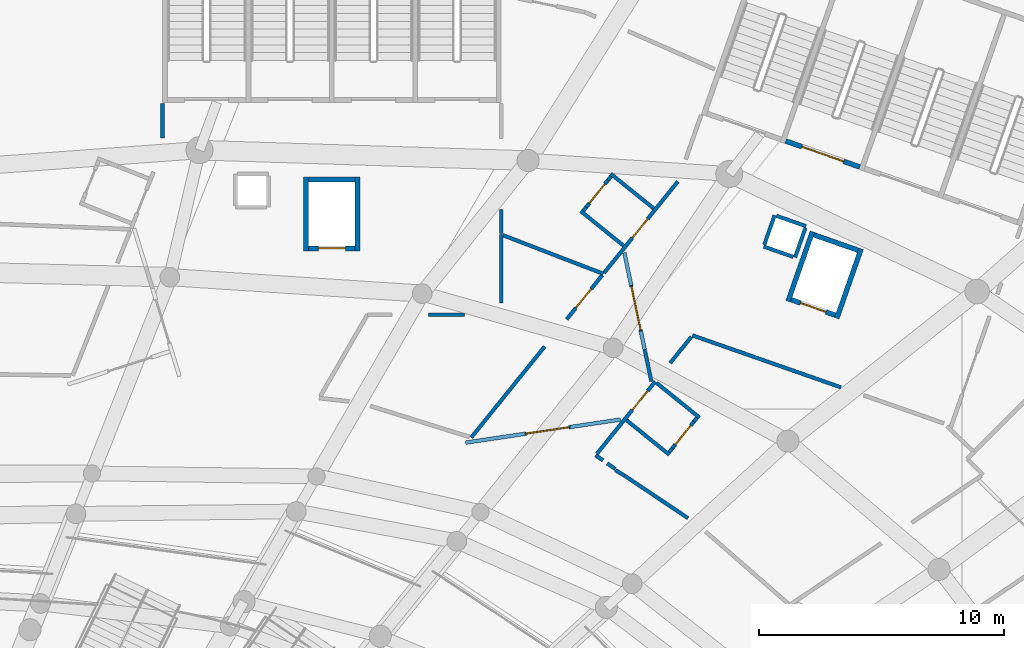
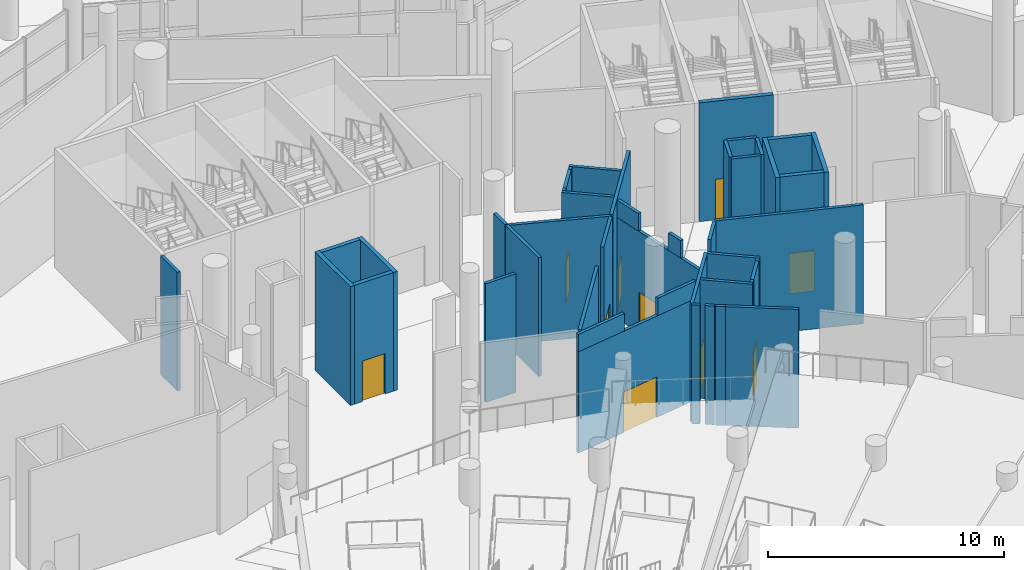
# One storey, part 152 of 255: 44 walls, 10 doors, 10 openings.
"""IFC4 building model written with IfcOpenShell, lengths in metres."""

from ifc_helpers import new_model, si_unit, direction, frame, frame_2d, origin, place, context, subcontext, project, spatial, rectangle, extrude, material, layer, layer_set, type_object, element, fill, save


model = new_model("IFC4")

# Units and contexts
model_context = context("Model", 3, precision=1e-05, world=origin(), true_north=direction((0.0, 1.0)))
body_context = subcontext(model_context, "Body", "Model", "MODEL_VIEW")
ifc_project = project(units=[si_unit("LENGTHUNIT", "METRE"), si_unit("AREAUNIT", "SQUARE_METRE"), si_unit("VOLUMEUNIT", "CUBIC_METRE"), si_unit("PLANEANGLEUNIT", "RADIAN"), si_unit("MASSUNIT", "GRAM", prefix="KILO")], contexts=[model_context])

# Site, building, storey
site_placement = place(None, origin())
site = spatial("IfcSite", under=ifc_project, at=site_placement, CompositionType="ELEMENT")
building_placement = place(site_placement, origin())
building = spatial("IfcBuilding", under=site, at=building_placement, Name="Meseta Stadium", CompositionType="ELEMENT")
storey_placement = place(building_placement, origin())
storey = spatial("IfcBuildingStorey", under=building, at=storey_placement, Name="L00", CompositionType="ELEMENT", Elevation=0.0)

# Wall, opening, door
ifc_material_1 = material(Name="Concrete C40/50", Category="concrete")
ifc_layer_1 = layer(ifc_material_1, 0.199951171875)
ifc_layer_set_1 = layer_set([ifc_layer_1], Name="Core shaft wall 200")
wall_type_1 = type_object("IfcWallType", Name="Core shaft wall 200", PredefinedType="SHEAR", material=ifc_layer_set_1)
wall_1_placement = place(storey_placement, frame((59.843505859375, 89.864990234375, 0.0), z_axis=(0.0, 0.0, 1.0), x_axis=(-0.943886898693, 0.330268863922, 0.0)))
wall_1 = element("IfcWall", 1, at=wall_1_placement, inside=storey, type_object=wall_type_1, Name="Core 08 L00 stair B1 inner end wall", PredefinedType="SHEAR", context=body_context, shape_type="SweptSolid", body=[
    extrude(rectangle(XDim=3.2001953125, YDim=0.199951171875, at=frame_2d((1.60009765625, 0.0))), origin(), (0.0, 0.0, 1.0), 6.14990234375),
])
opening_1_placement = place(wall_1_placement, frame((0.699951171875, 0.0, 0.0)))
opening_1 = element("IfcOpeningElement", 2, at=opening_1_placement, cuts=wall_1, Name="Opening D121", PredefinedType="OPENING", context=body_context, shape_type="SweptSolid", body=[
    extrude(rectangle(XDim=1.800048828125, YDim=2.10009765625, at=frame_2d((0.89990234375, 1.050048828125))), frame((0.0, 0.10986328125, 0.0), z_axis=(0.0, -1.0, 0.0), x_axis=(1.0, 0.0, 0.0)), (0.0, 0.0, 1.0), 0.219970703125),
])
ifc_material_2 = material(Name="Steel", Category="steel")
door_type_1 = type_object("IfcDoorType", Name="Stair door 1800x2100", OperationType="DOUBLE_DOOR_SINGLE_SWING", PredefinedType="DOOR", material=ifc_material_2)
door_1_placement = place(opening_1_placement, origin())
door_1 = element("IfcDoor", 3, at=door_1_placement, inside=storey, type_object=door_type_1, Name="Stair B1 door 08 L00", OperationType="DOUBLE_DOOR_SINGLE_SWING", OverallHeight=2.10009765625, OverallWidth=1.800048828125, PredefinedType="DOOR", context=body_context, shape_type="SweptSolid", body=[
    extrude(rectangle(XDim=1.800048828125, YDim=2.10009765625, at=frame_2d((0.89990234375, 1.050048828125))), frame((0.0, 0.02490234375, 0.0), z_axis=(0.0, -1.0, 0.0), x_axis=(1.0, 0.0, 0.0)), (0.0, 0.0, 1.0), 0.050048828125),
])
fill(opening_1, door_1)

# Walls
for number, where, z_axis, x_axis, name in (
    (4, (59.896240234375, 86.53369140625, 0.0), (0.0, 0.0, 1.0), (-0.330328674497, -0.943865968666, 0.0), "Core 08 L00 lift shaft wall left"),
    (5, (57.9140625, 87.227294921875, 0.0), (0.0, 0.0, 1.0), (-0.330328674497, -0.943865968666, 0.0), "Core 08 L00 lift shaft wall right"),
):
    element("IfcWall", number, at=place(storey_placement, frame(where, z_axis=z_axis, x_axis=x_axis)), inside=storey, type_object=wall_type_1, Name=name, PredefinedType="SHEAR", context=body_context, shape_type="SweptSolid", body=[
        extrude(rectangle(XDim=3.0, YDim=0.199951171875, at=frame_2d((1.5, 0.0))), origin(), (0.0, 0.0, 1.0), 6.14990234375),
    ])
wall_2_placement = place(storey_placement, frame((59.768798828125, 86.472412109375, 0.0), z_axis=(0.0, 0.0, 1.0), x_axis=(-0.943862362559, 0.330338978239, 0.0)))
element("IfcWall", 6, at=wall_2_placement, inside=storey, type_object=wall_type_1, Name="Core 08 L00 lift shaft back wall", PredefinedType="SHEAR", context=body_context, shape_type="SweptSolid", body=[
    extrude(rectangle(XDim=1.900146484375, YDim=0.199951171875, at=frame_2d((0.9501953125, 0.0))), origin(), (0.0, 0.0, 1.0), 6.14990234375),
])

# Wall, opening, door
wall_3_placement = place(storey_placement, frame((58.843994140625, 83.82958984375, 0.0), z_axis=(0.0, 0.0, 1.0), x_axis=(-0.943902418729, 0.330224505327, 0.0)))
wall_3 = element("IfcWall", 7, at=wall_3_placement, inside=storey, type_object=wall_type_1, Name="Core 08 L00 lift shaft front wall", PredefinedType="SHEAR", context=body_context, shape_type="SweptSolid", body=[
    extrude(rectangle(XDim=1.900146484375, YDim=0.199951171875, at=frame_2d((0.9501953125, 0.0))), origin(), (0.0, 0.0, 1.0), 6.14990234375),
])
opening_2_placement = place(wall_3_placement, frame((0.39990234375, 0.0, 0.0)))
opening_2 = element("IfcOpeningElement", 8, at=opening_2_placement, cuts=wall_3, Name="Opening LD43", PredefinedType="OPENING", context=body_context, shape_type="SweptSolid", body=[
    extrude(rectangle(XDim=1.10009765625, YDim=2.10009765625, at=frame_2d((0.550048828125, 1.050048828125))), frame((0.0, 0.10986328125, 0.0), z_axis=(0.0, -1.0, 0.0), x_axis=(1.0, 0.0, 0.0)), (0.0, 0.0, 1.0), 0.219970703125),
])
ifc_material_3 = material(Name="Steel", Category="steel")
door_type_2 = type_object("IfcDoorType", Name="Lift landing door 1100x2100", OperationType="SLIDING_TO_LEFT", PredefinedType="DOOR", material=ifc_material_3)
door_2_placement = place(opening_2_placement, origin())
door_2 = element("IfcDoor", 9, at=door_2_placement, inside=storey, type_object=door_type_2, Name="Lift landing door LD43", OperationType="SLIDING_TO_LEFT", OverallHeight=2.10009765625, OverallWidth=1.10009765625, PredefinedType="DOOR", context=body_context, shape_type="SweptSolid", body=[
    extrude(rectangle(XDim=1.10009765625, YDim=2.10009765625, at=frame_2d((0.550048828125, 1.050048828125))), frame((0.0, 0.02490234375, 0.0), z_axis=(0.0, -1.0, 0.0), x_axis=(1.0, 0.0, 0.0)), (0.0, 0.0, 1.0), 0.050048828125),
])
fill(opening_2, door_2)

# Walls
for number, where, z_axis, x_axis, name in (
    (10, (39.38330078125, 89.451171875, 0.0), (0.0, 0.0, 1.0), (0.0, -1.0, 0.0), "Core 09 L00 lift shaft wall left"),
    (11, (37.283203125, 89.451171875, 0.0), (0.0, 0.0, 1.0), (0.0, -1.0, 0.0), "Core 09 L00 lift shaft wall right"),
):
    element("IfcWall", number, at=place(storey_placement, frame(where, z_axis=z_axis, x_axis=x_axis)), inside=storey, type_object=wall_type_1, Name=name, PredefinedType="SHEAR", context=body_context, shape_type="SweptSolid", body=[
        extrude(rectangle(XDim=3.0, YDim=0.199951171875, at=frame_2d((1.5, 0.0))), origin(), (0.0, 0.0, 1.0), 6.14990234375),
    ])
wall_4_placement = place(storey_placement, frame((39.283203125, 89.35107421875, 0.0), z_axis=(0.0, 0.0, 1.0), x_axis=(-1.0, 0.0, 0.0)))
element("IfcWall", 12, at=wall_4_placement, inside=storey, type_object=wall_type_1, Name="Core 09 L00 lift shaft back wall", PredefinedType="SHEAR", context=body_context, shape_type="SweptSolid", body=[
    extrude(rectangle(XDim=1.89990234375, YDim=0.199951171875, at=frame_2d((0.949951171875, 0.0))), origin(), (0.0, 0.0, 1.0), 6.14990234375),
])

# Wall, opening, door
wall_5_placement = place(storey_placement, frame((39.283203125, 86.551025390625, 0.0), z_axis=(0.0, 0.0, 1.0), x_axis=(-1.0, 0.0, 0.0)))
wall_5 = element("IfcWall", 13, at=wall_5_placement, inside=storey, type_object=wall_type_1, Name="Core 09 L00 lift shaft front wall", PredefinedType="SHEAR", context=body_context, shape_type="SweptSolid", body=[
    extrude(rectangle(XDim=1.89990234375, YDim=0.199951171875, at=frame_2d((0.949951171875, 0.0))), origin(), (0.0, 0.0, 1.0), 6.14990234375),
])
opening_3_placement = place(wall_5_placement, frame((0.39990234375, 0.0, 0.0)))
opening_3 = element("IfcOpeningElement", 14, at=opening_3_placement, cuts=wall_5, Name="Opening LD48", PredefinedType="OPENING", context=body_context, shape_type="SweptSolid", body=[
    extrude(rectangle(XDim=1.10009765625, YDim=2.10009765625, at=frame_2d((0.550048828125, 1.050048828125))), frame((0.0, 0.10986328125, 0.0), z_axis=(0.0, -1.0, 0.0), x_axis=(1.0, 0.0, 0.0)), (0.0, 0.0, 1.0), 0.219970703125),
])
door_3_placement = place(opening_3_placement, origin())
door_3 = element("IfcDoor", 15, at=door_3_placement, inside=storey, type_object=door_type_2, Name="Lift landing door LD48", OperationType="SLIDING_TO_RIGHT", OverallHeight=2.10009765625, OverallWidth=1.10009765625, PredefinedType="DOOR", context=body_context, shape_type="SweptSolid", body=[
    extrude(rectangle(XDim=1.10009765625, YDim=2.10009765625, at=frame_2d((0.550048828125, 1.050048828125))), frame((0.0, 0.02490234375, 0.0), z_axis=(0.0, -1.0, 0.0), x_axis=(1.0, 0.0, 0.0)), (0.0, 0.0, 1.0), 0.050048828125),
])
fill(opening_3, door_3)

# Walls
ifc_material_4 = material(Name="Masonry blockwork", Category="masonry")
ifc_layer_2 = layer(ifc_material_4, 0.14990234375)
ifc_layer_set_2 = layer_set([ifc_layer_2], Name="Partition 150")
wall_type_2 = type_object("IfcWallType", Name="Partition 150", PredefinedType="PARTITIONING", material=ifc_layer_set_2)
wall_6_placement = place(storey_placement, frame((53.026611328125, 83.004638671875, 0.0), z_axis=(0.0, 0.0, 1.0), x_axis=(0.943881516526, -0.3302842454, 0.0)))
element("IfcWall", 16, at=wall_6_placement, inside=storey, type_object=wall_type_2, Name="Partition L00 L00-cell06-1-0", PredefinedType="PARTITIONING", context=body_context, shape_type="SweptSolid", body=[
    extrude(rectangle(XDim=6.40869140625, YDim=0.14990234375, at=frame_2d((3.204345703125, 0.0))), origin(), (0.0, 0.0, 1.0), 6.14990234375),
])
wall_7_placement = place(storey_placement, frame((52.847412109375, 75.5576171875, 0.0), z_axis=(0.0, 0.0, 1.0), x_axis=(-0.830743844241, 0.556654888828, 0.0)))
element("IfcWall", 17, at=wall_7_placement, inside=storey, type_object=wall_type_2, Name="Partition L00 L00-cell06-1-0", PredefinedType="PARTITIONING", context=body_context, shape_type="SweptSolid", body=[
    extrude(rectangle(XDim=3.1103515625, YDim=0.14990234375, at=frame_2d((1.55517578125, 0.0))), origin(), (0.0, 0.0, 1.0), 6.14990234375),
])
wall_8_placement = place(storey_placement, frame((50.263427734375, 77.2890625, 0.0), z_axis=(0.0, 0.0, 1.0), x_axis=(-0.859122541829, 0.511769926942, 0.0)))
element("IfcWall", 18, at=wall_8_placement, inside=storey, type_object=wall_type_2, Name="Partition L00 L00-cell06-1-0", PredefinedType="PARTITIONING", context=body_context, shape_type="SweptSolid", body=[
    extrude(rectangle(XDim=0.43505859375, YDim=0.14990234375, at=frame_2d((0.217529296875, 0.0))), origin(), (0.0, 0.0, 1.0), 6.14990234375),
])
wall_9_placement = place(storey_placement, frame((49.88232421875, 77.5595703125, 0.0), z_axis=(0.0, 0.0, 1.0), x_axis=(-0.817541054761, 0.575870318544, 0.0)))
element("IfcWall", 19, at=wall_9_placement, inside=storey, type_object=wall_type_2, Name="Partition L00 L00-cell06-1-0", PredefinedType="PARTITIONING", context=body_context, shape_type="SweptSolid", body=[
    extrude(rectangle(XDim=0.401123046875, YDim=0.14990234375, at=frame_2d((0.20068359375, 0.0))), origin(), (0.0, 0.0, 1.0), 6.14990234375),
])
wall_10_placement = place(storey_placement, frame((49.380615234375, 77.91259765625, 0.0), z_axis=(0.0, 0.0, 1.0), x_axis=(-0.817005286633, 0.576630177508, 0.0)))
element("IfcWall", 20, at=wall_10_placement, inside=storey, type_object=wall_type_2, Name="Partition L00 L00-cell06-1-0", PredefinedType="PARTITIONING", context=body_context, shape_type="SweptSolid", body=[
    extrude(rectangle(XDim=0.361572265625, YDim=0.14990234375, at=frame_2d((0.1806640625, 0.0))), origin(), (0.0, 0.0, 1.0), 6.14990234375),
])

# Wall, opening, door
wall_11_placement = place(storey_placement, frame((49.13232421875, 78.1796875, 0.0), z_axis=(0.0, 0.0, 1.0), x_axis=(0.628030912975, 0.778188391296, 0.0)))
wall_11 = element("IfcWall", 21, at=wall_11_placement, inside=storey, type_object=wall_type_2, Name="Partition L00 L00-cell06-1-0", PredefinedType="PARTITIONING", context=body_context, shape_type="SweptSolid", body=[
    extrude(rectangle(XDim=3.78662109375, YDim=0.14990234375, at=frame_2d((1.893310546875, 0.0))), origin(), (0.0, 0.0, 1.0), 6.14990234375),
])
opening_4_placement = place(wall_11_placement, frame((2.300048828125, 0.0, 0.0)))
opening_4 = element("IfcOpeningElement", 22, at=opening_4_placement, cuts=wall_11, Name="Opening D553", PredefinedType="OPENING", context=body_context, shape_type="SweptSolid", body=[
    extrude(rectangle(XDim=1.0, YDim=2.10009765625, at=frame_2d((0.5, 1.050048828125))), frame((0.0, 0.0849609375, 0.0), z_axis=(0.0, -1.0, 0.0), x_axis=(1.0, 0.0, 0.0)), (0.0, 0.0, 1.0), 0.169921875),
])
ifc_material_5 = material(Name="Steel", Category="steel")
door_type_3 = type_object("IfcDoorType", Name="Fire door 1000x2100 EI2 60", OperationType="NOTDEFINED", PredefinedType="DOOR", material=ifc_material_5)
door_4_placement = place(opening_4_placement, origin())
door_4 = element("IfcDoor", 23, at=door_4_placement, inside=storey, type_object=door_type_3, Name="Door D553", OperationType="SINGLE_SWING_RIGHT", OverallHeight=2.10009765625, OverallWidth=1.0, PredefinedType="DOOR", context=body_context, shape_type="SweptSolid", body=[
    extrude(rectangle(XDim=1.0, YDim=2.10009765625, at=frame_2d((0.5, 1.050048828125))), frame((0.0, 0.02490234375, 0.0), z_axis=(0.0, -1.0, 0.0), x_axis=(1.0, 0.0, 0.0)), (0.0, 0.0, 1.0), 0.050048828125),
])
fill(opening_4, door_4)

# Walls
wall_12_placement = place(storey_placement, frame((52.116943359375, 81.877685546875, 0.0), z_axis=(0.0, 0.0, 1.0), x_axis=(0.628104551629, 0.778128956037, 0.0)))
element("IfcWall", 24, at=wall_12_placement, inside=storey, type_object=wall_type_2, Name="Partition L00 L00-cell06-1-0", PredefinedType="PARTITIONING", context=body_context, shape_type="SweptSolid", body=[
    extrude(rectangle(XDim=1.36865234375, YDim=0.14990234375, at=frame_2d((0.684326171875, 0.0))), origin(), (0.0, 0.0, 1.0), 6.14990234375),
])
wall_13_placement = place(storey_placement, frame((45.2333984375, 84.317138671875, 0.0), z_axis=(0.0, 0.0, 1.0), x_axis=(0.0, 1.0, 0.0)))
element("IfcWall", 25, at=wall_13_placement, inside=storey, type_object=wall_type_2, Name="Partition L00 L00-cell07-1-0w", PredefinedType="PARTITIONING", context=body_context, shape_type="SweptSolid", body=[
    extrude(rectangle(XDim=2.796875, YDim=0.14990234375, at=frame_2d((1.3984375, 0.0))), origin(), (0.0, 0.0, 1.0), 6.14990234375),
])
wall_14_placement = place(storey_placement, frame((45.308349609375, 87.085205078125, 0.0), z_axis=(0.0, 0.0, 1.0), x_axis=(0.933326928839, -0.359027636685, 0.0)))
element("IfcWall", 26, at=wall_14_placement, inside=storey, type_object=wall_type_2, Name="Partition L00 L00-cell07-1-0w", PredefinedType="PARTITIONING", context=body_context, shape_type="SweptSolid", body=[
    extrude(rectangle(XDim=4.3798828125, YDim=0.14990234375, at=frame_2d((2.18994140625, 0.0))), origin(), (0.0, 0.0, 1.0), 6.14990234375),
])

# Wall, opening, door
wall_15_placement = place(storey_placement, frame((49.3466796875, 85.451416015625, 0.0), z_axis=(0.0, 0.0, 1.0), x_axis=(-0.62800123526, -0.778212341532, 0.0)))
wall_15 = element("IfcWall", 27, at=wall_15_placement, inside=storey, type_object=wall_type_2, Name="Partition L00 L00-cell07-1-0w", PredefinedType="PARTITIONING", context=body_context, shape_type="SweptSolid", body=[
    extrude(rectangle(XDim=2.301513671875, YDim=0.14990234375, at=frame_2d((1.15087890625, 0.0))), origin(), (0.0, 0.0, 1.0), 6.14990234375),
])
opening_5_placement = place(wall_15_placement, frame((0.699951171875, 0.0, 0.0)))
opening_5 = element("IfcOpeningElement", 28, at=opening_5_placement, cuts=wall_15, Name="Opening D555", PredefinedType="OPENING", context=body_context, shape_type="SweptSolid", body=[
    extrude(rectangle(XDim=1.0, YDim=2.10009765625, at=frame_2d((0.5, 1.050048828125))), frame((0.0, 0.0849609375, 0.0), z_axis=(0.0, -1.0, 0.0), x_axis=(1.0, 0.0, 0.0)), (0.0, 0.0, 1.0), 0.169921875),
])
ifc_material_6 = material(Name="Timber", Category="wood")
door_type_4 = type_object("IfcDoorType", Name="Room door 1000x2100", OperationType="NOTDEFINED", PredefinedType="DOOR", material=ifc_material_6)
door_5_placement = place(opening_5_placement, origin())
door_5 = element("IfcDoor", 29, at=door_5_placement, inside=storey, type_object=door_type_4, Name="Door D555", OperationType="SINGLE_SWING_RIGHT", OverallHeight=2.10009765625, OverallWidth=1.0, PredefinedType="DOOR", context=body_context, shape_type="SweptSolid", body=[
    extrude(rectangle(XDim=1.0, YDim=2.10009765625, at=frame_2d((0.5, 1.050048828125))), frame((0.0, 0.02490234375, 0.0), z_axis=(0.0, -1.0, 0.0), x_axis=(1.0, 0.0, 0.0)), (0.0, 0.0, 1.0), 0.050048828125),
])
fill(opening_5, door_5)

# Walls
wall_16_placement = place(storey_placement, frame((47.00439453125, 82.548828125, 0.0), z_axis=(0.0, 0.0, 1.0), x_axis=(-0.628029075818, -0.778189873956, 0.0)))
element("IfcWall", 30, at=wall_16_placement, inside=storey, type_object=wall_type_2, Name="Partition L00 L00-cell07-1-0w", PredefinedType="PARTITIONING", context=body_context, shape_type="SweptSolid", body=[
    extrude(rectangle(XDim=4.760498046875, YDim=0.14990234375, at=frame_2d((2.38037109375, 0.0))), origin(), (0.0, 0.0, 1.0), 6.14990234375),
])
wall_17_placement = place(storey_placement, frame((42.26318359375, 83.85107421875, 0.0), z_axis=(0.0, 0.0, 1.0), x_axis=(1.0, 0.0, 0.0)))
element("IfcWall", 31, at=wall_17_placement, inside=storey, type_object=wall_type_2, Name="Partition L00 L00-cell07-1-0w", PredefinedType="PARTITIONING", context=body_context, shape_type="SweptSolid", body=[
    extrude(rectangle(XDim=1.485107421875, YDim=0.14990234375, at=frame_2d((0.74267578125, 0.0))), origin(), (0.0, 0.0, 1.0), 6.14990234375),
])
wall_18_placement = place(storey_placement, frame((45.2333984375, 87.1640625, 0.0), z_axis=(0.0, 0.0, 1.0), x_axis=(0.0, 1.0, 0.0)))
element("IfcWall", 32, at=wall_18_placement, inside=storey, type_object=wall_type_2, Name="Partition L00 L00-cell07-2-0", PredefinedType="PARTITIONING", context=body_context, shape_type="SweptSolid", body=[
    extrude(rectangle(XDim=0.962890625, YDim=0.14990234375, at=frame_2d((0.4814453125, 0.0))), origin(), (0.0, 0.0, 1.0), 6.14990234375),
])

# Wall, opening, door
wall_19_placement = place(storey_placement, frame((52.4326171875, 89.27490234375, 0.0), z_axis=(0.0, 0.0, 1.0), x_axis=(-0.628024689431, -0.778193413918, 0.0)))
wall_19 = element("IfcWall", 33, at=wall_19_placement, inside=storey, type_object=wall_type_2, Name="Partition L00 L00-cell07-2-0", PredefinedType="PARTITIONING", context=body_context, shape_type="SweptSolid", body=[
    extrude(rectangle(XDim=4.78466796875, YDim=0.14990234375, at=frame_2d((2.392333984375, 0.0))), origin(), (0.0, 0.0, 1.0), 6.14990234375),
])
opening_6_placement = place(wall_19_placement, frame((1.949951171875, 0.0, 0.0)))
opening_6 = element("IfcOpeningElement", 34, at=opening_6_placement, cuts=wall_19, Name="Opening D556", PredefinedType="OPENING", context=body_context, shape_type="SweptSolid", body=[
    extrude(rectangle(XDim=1.0, YDim=2.10009765625, at=frame_2d((0.5, 1.050048828125))), frame((0.0, 0.0849609375, 0.0), z_axis=(0.0, -1.0, 0.0), x_axis=(1.0, 0.0, 0.0)), (0.0, 0.0, 1.0), 0.169921875),
])
door_6_placement = place(opening_6_placement, origin())
door_6 = element("IfcDoor", 35, at=door_6_placement, inside=storey, type_object=door_type_3, Name="Door D556", OperationType="SINGLE_SWING_RIGHT", OverallHeight=2.10009765625, OverallWidth=1.0, PredefinedType="DOOR", context=body_context, shape_type="SweptSolid", body=[
    extrude(rectangle(XDim=1.0, YDim=2.10009765625, at=frame_2d((0.5, 1.050048828125))), frame((0.0, 0.02490234375, 0.0), z_axis=(0.0, -1.0, 0.0), x_axis=(1.0, 0.0, 0.0)), (0.0, 0.0, 1.0), 0.050048828125),
])
fill(opening_6, door_6)

# Walls
wall_20_placement = place(storey_placement, frame((31.433349609375, 92.4599609375, 0.0), z_axis=(0.0, 0.0, 1.0), x_axis=(0.0, -1.0, 0.0)))
element("IfcWall", 36, at=wall_20_placement, inside=storey, type_object=wall_type_2, Name="Partition L00 L00-cell08-2-0", PredefinedType="PARTITIONING", context=body_context, shape_type="SweptSolid", body=[
    extrude(rectangle(XDim=1.41259765625, YDim=0.14990234375, at=frame_2d((0.706298828125, 0.0))), origin(), (0.0, 0.0, 1.0), 6.14990234375),
])
for number, where, z_axis, x_axis, name in (
    (37, (57.6484375, 87.45263671875, 0.0), (0.0, 0.0, 1.0), (-0.943867312246, 0.330324835387, 0.0), "Pressurisation shaft wall L00 core 08"),
    (38, (56.374267578125, 87.898681640625, 0.0), (0.0, 0.0, 1.0), (-0.330324835387, -0.943867312246, 0.0), "Pressurisation shaft wall L00 core 08"),
    (39, (55.928466796875, 86.62451171875, 0.0), (0.0, 0.0, 1.0), (0.943867312246, -0.330324835387, 0.0), "Pressurisation shaft wall L00 core 08"),
):
    element("IfcWall", number, at=place(storey_placement, frame(where, z_axis=z_axis, x_axis=x_axis)), inside=storey, type_object=wall_type_2, Name=name, PredefinedType="PARTITIONING", context=body_context, shape_type="SweptSolid", body=[
        extrude(rectangle(XDim=1.27490234375, YDim=0.14990234375, at=frame_2d((0.637451171875, 0.0))), origin(), (0.0, 0.0, 1.0), 6.14990234375),
    ])
wall_21_placement = place(storey_placement, frame((57.20263671875, 86.178466796875, 0.0), z_axis=(0.0, 0.0, 1.0), x_axis=(0.330265141396, 0.943888201207, 0.0)))
element("IfcWall", 40, at=wall_21_placement, inside=storey, type_object=wall_type_2, Name="Pressurisation shaft wall L00 core 08", PredefinedType="PARTITIONING", context=body_context, shape_type="SweptSolid", body=[
    extrude(rectangle(XDim=1.275146484375, YDim=0.14990234375, at=frame_2d((0.6376953125, 0.0))), origin(), (0.0, 0.0, 1.0), 6.14990234375),
])
wall_22_placement = place(storey_placement, frame((50.3369140625, 79.552734375, 0.0), z_axis=(0.0, 0.0, 1.0), x_axis=(0.778194067607, -0.628023879435, 0.0)))
element("IfcWall", 41, at=wall_22_placement, inside=storey, type_object=wall_type_2, Name="Partition L00 L00-cell06-1-0 vestibule", PredefinedType="PARTITIONING", context=body_context, shape_type="SweptSolid", body=[
    extrude(rectangle(XDim=2.25, YDim=0.14990234375, at=frame_2d((1.125, 0.0))), origin(), (0.0, 0.0, 1.0), 6.14990234375),
])
wall_23_placement = place(storey_placement, frame((51.5615234375, 81.0703125, 0.0), z_axis=(0.0, 0.0, 1.0), x_axis=(0.778141039658, -0.628089581509, 0.0)))
element("IfcWall", 42, at=wall_23_placement, inside=storey, type_object=wall_type_2, Name="Partition L00 L00-cell06-1-0 vestibule", PredefinedType="PARTITIONING", context=body_context, shape_type="SweptSolid", body=[
    extrude(rectangle(XDim=2.250244140625, YDim=0.14990234375, at=frame_2d((1.125, 0.0))), origin(), (0.0, 0.0, 1.0), 6.14990234375),
])
wall_24_placement = place(storey_placement, frame((52.07666015625, 78.2451171875, 0.0), z_axis=(0.0, 0.0, 1.0), x_axis=(0.627967346338, 0.778239687971, 0.0)))
element("IfcWall", 43, at=wall_24_placement, inside=storey, type_object=wall_type_2, Name="Partition L00 L00-cell06-1-0 vestibule", PredefinedType="PARTITIONING", context=body_context, shape_type="SweptSolid", body=[
    extrude(rectangle(XDim=0.199951171875, YDim=0.14990234375, at=frame_2d((0.10009765625, 0.0))), origin(), (0.0, 0.0, 1.0), 6.14990234375),
])

# Wall, opening, door
wall_25_placement = place(storey_placement, frame((52.2021484375, 78.400634765625, 0.0), z_axis=(0.0, 0.0, 1.0), x_axis=(0.627943305032, 0.778259086465, 0.0)))
wall_25 = element("IfcWall", 44, at=wall_25_placement, inside=storey, type_object=wall_type_2, Name="Partition L00 L00-cell06-1-0 vestibule", PredefinedType="PARTITIONING", context=body_context, shape_type="SweptSolid", body=[
    extrude(rectangle(XDim=1.400146484375, YDim=0.14990234375, at=frame_2d((0.7001953125, 0.0))), origin(), (0.0, 0.0, 1.0), 6.14990234375),
])
opening_7_placement = place(wall_25_placement, frame((0.199951171875, 0.0, 0.0)))
opening_7 = element("IfcOpeningElement", 45, at=opening_7_placement, cuts=wall_25, Name="Opening D832", PredefinedType="OPENING", context=body_context, shape_type="SweptSolid", body=[
    extrude(rectangle(XDim=1.0, YDim=2.10009765625, at=frame_2d((0.5, 1.050048828125))), frame((0.0, 0.0849609375, 0.0), z_axis=(0.0, -1.0, 0.0), x_axis=(1.0, 0.0, 0.0)), (0.0, 0.0, 1.0), 0.169921875),
])
door_7_placement = place(opening_7_placement, origin())
door_7 = element("IfcDoor", 46, at=door_7_placement, inside=storey, type_object=door_type_3, Name="Vestibule door L00 L00-cell06-1-0", OperationType="SINGLE_SWING_LEFT", OverallHeight=2.10009765625, OverallWidth=1.0, PredefinedType="DOOR", context=body_context, shape_type="SweptSolid", body=[
    extrude(rectangle(XDim=1.0, YDim=2.10009765625, at=frame_2d((0.5, 1.050048828125))), frame((0.0, 0.02490234375, 0.0), z_axis=(0.0, -1.0, 0.0), x_axis=(1.0, 0.0, 0.0)), (0.0, 0.0, 1.0), 0.050048828125),
])
fill(opening_7, door_7)

# Walls
wall_26_placement = place(storey_placement, frame((53.081298828125, 79.490234375, 0.0), z_axis=(0.0, 0.0, 1.0), x_axis=(0.628706442472, 0.777642725931, 0.0)))
element("IfcWall", 47, at=wall_26_placement, inside=storey, type_object=wall_type_2, Name="Partition L00 L00-cell06-1-0 vestibule", PredefinedType="PARTITIONING", context=body_context, shape_type="SweptSolid", body=[
    extrude(rectangle(XDim=0.199951171875, YDim=0.14990234375, at=frame_2d((0.10009765625, 0.0))), origin(), (0.0, 0.0, 1.0), 6.14990234375),
])
wall_27_placement = place(storey_placement, frame((51.447998046875, 88.17431640625, 0.0), z_axis=(0.0, 0.0, 1.0), x_axis=(-0.778247097235, 0.627958163929, 0.0)))
element("IfcWall", 48, at=wall_27_placement, inside=storey, type_object=wall_type_2, Name="Partition L00 L00-cell07-2-0 vestibule", PredefinedType="PARTITIONING", context=body_context, shape_type="SweptSolid", body=[
    extrude(rectangle(XDim=2.25, YDim=0.14990234375, at=frame_2d((1.125, 0.0))), origin(), (0.0, 0.0, 1.0), 6.14990234375),
])
wall_28_placement = place(storey_placement, frame((50.22314453125, 86.65673828125, 0.0), z_axis=(0.0, 0.0, 1.0), x_axis=(-0.778151266505, 0.628076911244, 0.0)))
element("IfcWall", 49, at=wall_28_placement, inside=storey, type_object=wall_type_2, Name="Partition L00 L00-cell07-2-0 vestibule", PredefinedType="PARTITIONING", context=body_context, shape_type="SweptSolid", body=[
    extrude(rectangle(XDim=2.249755859375, YDim=0.14990234375, at=frame_2d((1.125, 0.0))), origin(), (0.0, 0.0, 1.0), 6.14990234375),
])
wall_29_placement = place(storey_placement, frame((49.708251953125, 89.481689453125, 0.0), z_axis=(0.0, 0.0, 1.0), x_axis=(-0.628706442472, -0.777642725931, 0.0)))
element("IfcWall", 50, at=wall_29_placement, inside=storey, type_object=wall_type_2, Name="Partition L00 L00-cell07-2-0 vestibule", PredefinedType="PARTITIONING", context=body_context, shape_type="SweptSolid", body=[
    extrude(rectangle(XDim=0.199951171875, YDim=0.14990234375, at=frame_2d((0.10009765625, 0.0))), origin(), (0.0, 0.0, 1.0), 6.14990234375),
])

# Wall, opening, door
wall_30_placement = place(storey_placement, frame((49.58251953125, 89.326171875, 0.0), z_axis=(0.0, 0.0, 1.0), x_axis=(-0.628028532915, -0.778190312099, 0.0)))
wall_30 = element("IfcWall", 51, at=wall_30_placement, inside=storey, type_object=wall_type_2, Name="Partition L00 L00-cell07-2-0 vestibule", PredefinedType="PARTITIONING", context=body_context, shape_type="SweptSolid", body=[
    extrude(rectangle(XDim=1.39990234375, YDim=0.14990234375, at=frame_2d((0.699951171875, 0.0))), origin(), (0.0, 0.0, 1.0), 6.14990234375),
])
opening_8_placement = place(wall_30_placement, frame((0.199951171875, 0.0, 0.0)))
opening_8 = element("IfcOpeningElement", 52, at=opening_8_placement, cuts=wall_30, Name="Opening D833", PredefinedType="OPENING", context=body_context, shape_type="SweptSolid", body=[
    extrude(rectangle(XDim=1.0, YDim=2.10009765625, at=frame_2d((0.5, 1.050048828125))), frame((0.0, 0.0849609375, 0.0), z_axis=(0.0, -1.0, 0.0), x_axis=(1.0, 0.0, 0.0)), (0.0, 0.0, 1.0), 0.169921875),
])
door_8_placement = place(opening_8_placement, origin())
door_8 = element("IfcDoor", 53, at=door_8_placement, inside=storey, type_object=door_type_3, Name="Vestibule door L00 L00-cell07-2-0", OperationType="SINGLE_SWING_RIGHT", OverallHeight=2.10009765625, OverallWidth=1.0, PredefinedType="DOOR", context=body_context, shape_type="SweptSolid", body=[
    extrude(rectangle(XDim=1.0, YDim=2.10009765625, at=frame_2d((0.5, 1.050048828125))), frame((0.0, 0.02490234375, 0.0), z_axis=(0.0, -1.0, 0.0), x_axis=(1.0, 0.0, 0.0)), (0.0, 0.0, 1.0), 0.050048828125),
])
fill(opening_8, door_8)

# Wall
wall_31_placement = place(storey_placement, frame((48.703369140625, 88.23681640625, 0.0), z_axis=(0.0, 0.0, 1.0), x_axis=(-0.627370660402, -0.778720780811, 0.0)))
element("IfcWall", 54, at=wall_31_placement, inside=storey, type_object=wall_type_2, Name="Partition L00 L00-cell07-2-0 vestibule", PredefinedType="PARTITIONING", context=body_context, shape_type="SweptSolid", body=[
    extrude(rectangle(XDim=0.199951171875, YDim=0.14990234375, at=frame_2d((0.10009765625, 0.0))), origin(), (0.0, 0.0, 1.0), 6.14990234375),
])

# Wall, opening, door
wall_32_placement = place(storey_placement, frame((51.353515625, 81.1279296875, 0.0), z_axis=(0.0, 0.0, 1.0), x_axis=(-0.205563020244, 0.978643880433, 0.0)))
wall_32 = element("IfcWall", 55, at=wall_32_placement, inside=storey, type_object=wall_type_2, Name="Escape corridor sector wall L00 core 08", PredefinedType="PARTITIONING", context=body_context, shape_type="SweptSolid", body=[
    extrude(rectangle(XDim=5.3623046875, YDim=0.14990234375, at=frame_2d((2.68115234375, 0.0))), origin(), (0.0, 0.0, 1.0), 5.25),
])
opening_9_placement = place(wall_32_placement, frame((2.14990234375, 0.0, 0.0)))
opening_9 = element("IfcOpeningElement", 56, at=opening_9_placement, cuts=wall_32, Name="Opening D412", PredefinedType="OPENING", context=body_context, shape_type="SweptSolid", body=[
    extrude(rectangle(XDim=1.800048828125, YDim=2.10009765625, at=frame_2d((0.89990234375, 1.050048828125))), frame((0.0, 0.0849609375, 0.0), z_axis=(0.0, -1.0, 0.0), x_axis=(1.0, 0.0, 0.0)), (0.0, 0.0, 1.0), 0.169921875),
])
ifc_material_7 = material(Name="Steel", Category="steel")
door_type_5 = type_object("IfcDoorType", Name="Fire double door 1800x2100 EI2 60", OperationType="DOUBLE_DOOR_SINGLE_SWING", PredefinedType="DOOR", material=ifc_material_7)
door_9_placement = place(opening_9_placement, origin())
door_9 = element("IfcDoor", 57, at=door_9_placement, inside=storey, type_object=door_type_5, Name="Escape corridor door EC08-1", OperationType="DOUBLE_DOOR_SINGLE_SWING", OverallHeight=2.10009765625, OverallWidth=1.800048828125, PredefinedType="DOOR", context=body_context, shape_type="SweptSolid", body=[
    extrude(rectangle(XDim=1.800048828125, YDim=2.10009765625, at=frame_2d((0.89990234375, 1.050048828125))), frame((0.0, 0.02490234375, 0.0), z_axis=(0.0, -1.0, 0.0), x_axis=(1.0, 0.0, 0.0)), (0.0, 0.0, 1.0), 0.050048828125),
])
fill(opening_9, door_9)

# Walls
wall_33_placement = place(storey_placement, frame((51.082275390625, 82.419921875, 5.25), z_axis=(0.0, 0.0, 1.0), x_axis=(-0.205679142546, 0.978619481883, 0.0)))
element("IfcWall", 58, at=wall_33_placement, inside=storey, type_object=wall_type_2, Name="Escape corridor sector wall L00 core 08", PredefinedType="PARTITIONING", context=body_context, shape_type="SweptSolid", body=[
    extrude(rectangle(XDim=0.77978515625, YDim=0.14990234375, at=frame_2d((0.389892578125, 0.0))), origin(), (0.0, 0.0, 1.0), 0.89990234375),
])
wall_34_placement = place(storey_placement, frame((50.53125, 85.04248046875, 5.25), z_axis=(0.0, 0.0, 1.0), x_axis=(-0.205549845257, 0.978646647731, 0.0)))
element("IfcWall", 59, at=wall_34_placement, inside=storey, type_object=wall_type_2, Name="Escape corridor sector wall L00 core 08", PredefinedType="PARTITIONING", context=body_context, shape_type="SweptSolid", body=[
    extrude(rectangle(XDim=1.3623046875, YDim=0.14990234375, at=frame_2d((0.68115234375, 0.0))), origin(), (0.0, 0.0, 1.0), 0.89990234375),
])

# Wall, opening, door
wall_35_placement = place(storey_placement, frame((50.091552734375, 79.576416015625, 0.0), z_axis=(0.0, 0.0, 1.0), x_axis=(-0.989045618656, -0.147610176536, 0.0)))
wall_35 = element("IfcWall", 60, at=wall_35_placement, inside=storey, type_object=wall_type_2, Name="Escape corridor discharge wall L00 core 08", PredefinedType="PARTITIONING", context=body_context, shape_type="SweptSolid", body=[
    extrude(rectangle(XDim=6.3759765625, YDim=0.14990234375, at=frame_2d((3.18798828125, 0.0))), origin(), (0.0, 0.0, 1.0), 5.25),
])
opening_10_placement = place(wall_35_placement, frame((2.125732421875, 0.0, 0.0)))
opening_10 = element("IfcOpeningElement", 61, at=opening_10_placement, cuts=wall_35, Name="Opening D384", PredefinedType="OPENING", context=body_context, shape_type="SweptSolid", body=[
    extrude(rectangle(XDim=1.800048828125, YDim=2.10009765625, at=frame_2d((0.89990234375, 1.050048828125))), frame((0.0, 0.0849609375, 0.0), z_axis=(0.0, -1.0, 0.0), x_axis=(1.0, 0.0, 0.0)), (0.0, 0.0, 1.0), 0.169921875),
])
door_10_placement = place(opening_10_placement, origin())
door_10 = element("IfcDoor", 62, at=door_10_placement, inside=storey, type_object=door_type_5, Name="Stair discharge door SD08-1", OperationType="DOUBLE_DOOR_SINGLE_SWING", OverallHeight=2.10009765625, OverallWidth=1.800048828125, PredefinedType="DOOR", context=body_context, shape_type="SweptSolid", body=[
    extrude(rectangle(XDim=1.800048828125, YDim=2.10009765625, at=frame_2d((0.89990234375, 1.050048828125))), frame((0.0, 0.02490234375, 0.0), z_axis=(0.0, -1.0, 0.0), x_axis=(1.0, 0.0, 0.0)), (0.0, 0.0, 1.0), 0.050048828125),
])
fill(opening_10, door_10)

# Walls
wall_36_placement = place(storey_placement, frame((46.257568359375, 79.004150390625, 5.25), z_axis=(0.0, 0.0, 1.0), x_axis=(-0.989049261967, -0.147585762871, 0.0)))
element("IfcWall", 63, at=wall_36_placement, inside=storey, type_object=wall_type_2, Name="Escape corridor discharge wall L00 core 08", PredefinedType="PARTITIONING", context=body_context, shape_type="SweptSolid", body=[
    extrude(rectangle(XDim=2.49951171875, YDim=0.14990234375, at=frame_2d((1.249755859375, 0.0))), origin(), (0.0, 0.0, 1.0), 0.89990234375),
])
wall_37_placement = place(storey_placement, frame((50.091552734375, 79.576416015625, 5.25), z_axis=(0.0, 0.0, 1.0), x_axis=(-0.989048210858, -0.147592806733, 0.0)))
element("IfcWall", 64, at=wall_37_placement, inside=storey, type_object=wall_type_2, Name="Escape corridor discharge wall L00 core 08", PredefinedType="PARTITIONING", context=body_context, shape_type="SweptSolid", body=[
    extrude(rectangle(XDim=2.075927734375, YDim=0.14990234375, at=frame_2d((1.0380859375, 0.0))), origin(), (0.0, 0.0, 1.0), 0.89990234375),
])

save(model, "model.ifc")
